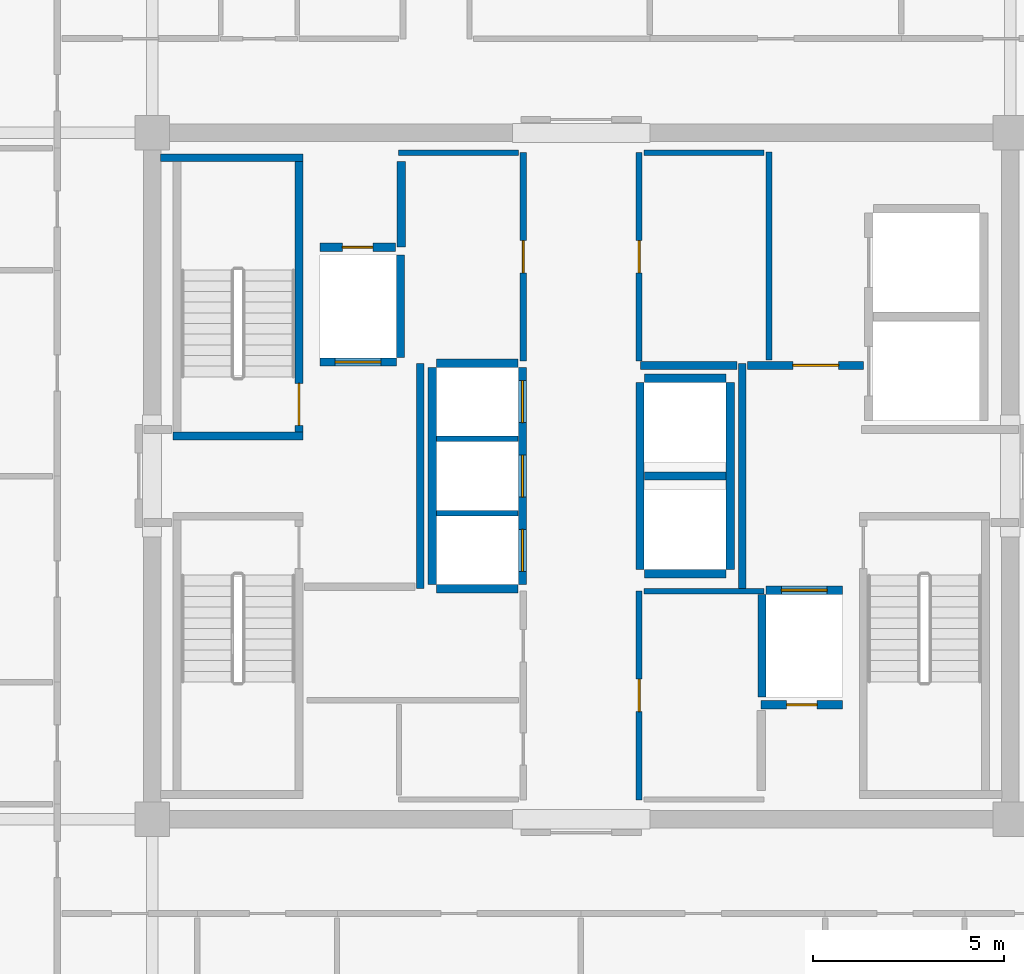
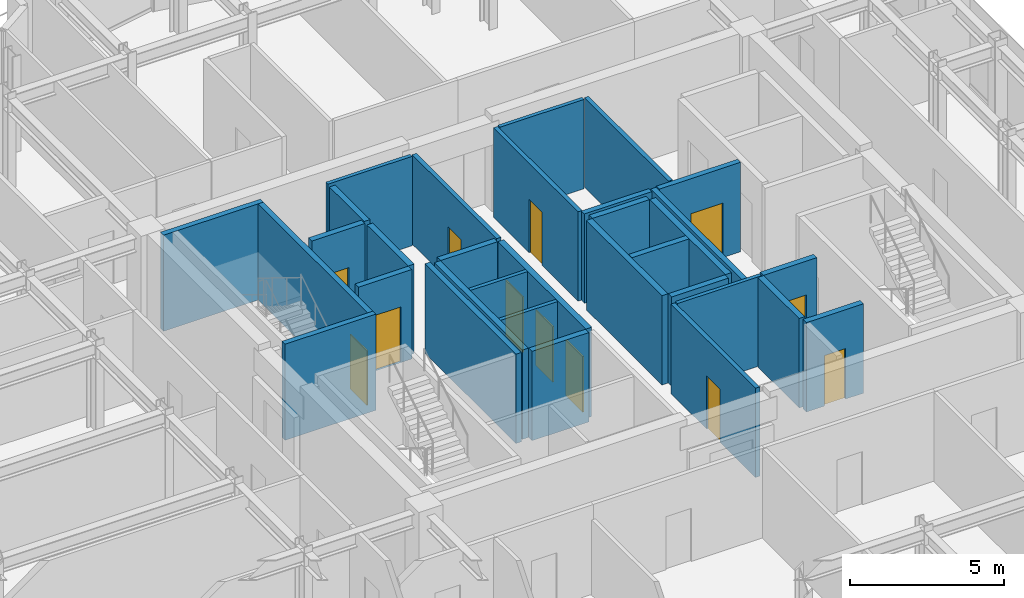
# One storey, part 14 of 18: 32 walls, 12 doors, 12 openings.
"""IFC4 building model written with IfcOpenShell, lengths in metres."""

from ifc_helpers import new_model, si_unit, direction, frame, frame_2d, origin, place, context, subcontext, project, spatial, rectangle, extrude, source, transform, mapped, material, layer, layer_set, type_object, element, fill, save


model = new_model("IFC4")

# Units and contexts
model_context = context("Model", 3, precision=1e-05, world=origin(), true_north=direction((0.0, 1.0)))
body_context = subcontext(model_context, "Body", "Model", "MODEL_VIEW")
ifc_project = project(units=[si_unit("LENGTHUNIT", "METRE"), si_unit("AREAUNIT", "SQUARE_METRE"), si_unit("VOLUMEUNIT", "CUBIC_METRE"), si_unit("PLANEANGLEUNIT", "RADIAN"), si_unit("MASSUNIT", "GRAM", prefix="KILO")], contexts=[model_context])

# Site, building, storey
site_placement = place(None, origin())
site = spatial("IfcSite", under=ifc_project, at=site_placement, CompositionType="ELEMENT")
building_placement = place(site_placement, origin())
building = spatial("IfcBuilding", under=site, at=building_placement, Name="Nefas-Gora Pilgrimage Tower", CompositionType="ELEMENT")
storey_placement = place(building_placement, frame((0.0, 0.0, 306.39990234375)))
storey = spatial("IfcBuildingStorey", under=building, at=storey_placement, Name="L77", CompositionType="ELEMENT", Elevation=306.39990234375)

# Wall
ifc_material_1 = material(Name="Concrete C45/55", Category="concrete")
ifc_layer_1 = layer(ifc_material_1, 0.199951171875)
ifc_layer_set_1 = layer_set([ifc_layer_1], Name="Concrete C45/55")
wall_type_1 = type_object("IfcWallType", Name="IW-STAIR-200", PredefinedType="SOLIDWALL", material=ifc_layer_set_1)
shared_shape_1 = source(origin(), body_context, "Body", "SweptSolid", [
    extrude(rectangle(XDim=3.39990234375, YDim=0.199951171875, at=frame_2d((1.699951171875, 0.0))), origin(), (0.0, 0.0, 1.0), 3.800048828125),
])
wall_1_placement = place(storey_placement, frame((-7.300048828125, 1.050048828125, 0.0), z_axis=(0.0, 0.0, 1.0), x_axis=(-1.0, 0.0, 0.0)))
element("IfcWall", 1, at=wall_1_placement, inside=storey, type_object=wall_type_1, Name="L77 Stairwell Shear Wall ST-01-near", PredefinedType="SOLIDWALL", context=body_context, shape_type="MappedRepresentation", body=[
    mapped(shared_shape_1, transform((0.0, 0.0, 0.0), x_axis=(1.0, 0.0, 0.0), y_axis=(0.0, 1.0, 0.0), z_axis=(0.0, 0.0, 1.0), scale=1.0)),
])

# Wall, opening, door
shared_shape_2 = source(origin(), body_context, "Body", "SweptSolid", [
    extrude(rectangle(XDim=7.10009765625, YDim=0.199951171875, at=frame_2d((3.550048828125, 0.0))), origin(), (0.0, 0.0, 1.0), 3.800048828125),
])
wall_2_placement = place(storey_placement, frame((-7.39990234375, 1.14990234375, 0.0), z_axis=(0.0, 0.0, 1.0), x_axis=(0.0, 1.0, 0.0)))
wall_2 = element("IfcWall", 2, at=wall_2_placement, inside=storey, type_object=wall_type_1, Name="L77 Stairwell Shear Wall ST-01-left", PredefinedType="SOLIDWALL", context=body_context, shape_type="MappedRepresentation", body=[
    mapped(shared_shape_2, transform((0.0, 0.0, 0.0), x_axis=(1.0, 0.0, 0.0), y_axis=(0.0, 1.0, 0.0), z_axis=(0.0, 0.0, 1.0), scale=1.0)),
])
opening_1_placement = place(wall_2_placement, frame((0.179931640625, 0.0, 0.0)))
opening_1 = element("IfcOpeningElement", 3, at=opening_1_placement, cuts=wall_2, Name="Opening ID-ST1", PredefinedType="OPENING", context=body_context, shape_type="SweptSolid", body=[
    extrude(rectangle(XDim=1.10009765625, YDim=2.14990234375, at=frame_2d((0.550048828125, 1.074951171875))), frame((0.0, 0.10986328125, 0.0), z_axis=(0.0, -1.0, 0.0), x_axis=(1.0, 0.0, 0.0)), (0.0, 0.0, 1.0), 0.219970703125),
])
ifc_material_2 = material(Name="Painted galvanised steel fire stair door", Category="steel")
door_type_1 = type_object("IfcDoorType", Name="DR-INT-STAIR-1100", OperationType="NOTDEFINED", PredefinedType="DOOR", material=ifc_material_2)
shared_shape_3 = source(origin(), body_context, "Body", "SweptSolid", [
    extrude(rectangle(XDim=1.10009765625, YDim=2.14990234375, at=frame_2d((0.550048828125, 1.074951171875))), frame((0.0, 0.02490234375, 0.0), z_axis=(0.0, -1.0, 0.0), x_axis=(1.0, 0.0, 0.0)), (0.0, 0.0, 1.0), 0.050048828125),
])
door_1_placement = place(opening_1_placement, origin())
door_1 = element("IfcDoor", 4, at=door_1_placement, inside=storey, type_object=door_type_1, Name="L77 Protected Exit Stair Door ST-01", OperationType="SINGLE_SWING_LEFT", OverallHeight=2.14990234375, OverallWidth=1.10009765625, PredefinedType="DOOR", context=body_context, shape_type="MappedRepresentation", body=[
    mapped(shared_shape_3, transform((0.0, 0.0, 0.0), x_axis=(1.0, 0.0, 0.0), y_axis=(0.0, 1.0, 0.0), z_axis=(0.0, 0.0, 1.0), scale=1.0)),
])
fill(opening_1, door_1)

# Wall
shared_shape_4 = source(origin(), body_context, "Body", "SweptSolid", [
    extrude(rectangle(XDim=3.72998046875, YDim=0.199951171875, at=frame_2d((1.864990234375, 0.0))), origin(), (0.0, 0.0, 1.0), 3.800048828125),
])
wall_3_placement = place(storey_placement, frame((-7.300048828125, 8.35009765625, 0.0), z_axis=(0.0, 0.0, 1.0), x_axis=(-1.0, 0.0, 0.0)))
element("IfcWall", 5, at=wall_3_placement, inside=storey, type_object=wall_type_1, Name="L77 Stairwell Shear Wall ST-01-far", PredefinedType="SOLIDWALL", context=body_context, shape_type="MappedRepresentation", body=[
    mapped(shared_shape_4, transform((0.0, 0.0, 0.0), x_axis=(1.0, 0.0, 0.0), y_axis=(0.0, 1.0, 0.0), z_axis=(0.0, 0.0, 1.0), scale=1.0)),
])

# Wall, opening, door
ifc_material_3 = material(Name="Concrete C40/50", Category="concrete")
ifc_layer_2 = layer(ifc_material_3, 0.219970703125)
ifc_layer_set_2 = layer_set([ifc_layer_2], Name="Concrete C40/50")
wall_type_2 = type_object("IfcWallType", Name="IW-SHAFT-220", PredefinedType="SOLIDWALL", material=ifc_layer_set_2)
shared_shape_5 = source(origin(), body_context, "Body", "SweptSolid", [
    extrude(rectangle(XDim=2.0, YDim=0.219970703125, at=frame_2d((1.0, 0.0))), origin(), (0.0, 0.0, 1.0), 3.53515625),
])
wall_4_placement = place(storey_placement, frame((-6.85009765625, 2.989990234375, 0.0), z_axis=(0.0, 0.0, 1.0), x_axis=(1.0, 0.0, 0.0)))
wall_4 = element("IfcWall", 6, at=wall_4_placement, inside=storey, type_object=wall_type_2, Name="L77 Hoistway Wall FFL-01-S", PredefinedType="SOLIDWALL", context=body_context, shape_type="MappedRepresentation", body=[
    mapped(shared_shape_5, transform((0.0, 0.0, 0.0), x_axis=(1.0, 0.0, 0.0), y_axis=(0.0, 1.0, 0.0), z_axis=(0.0, 0.0, 1.0), scale=1.0)),
])
opening_2_placement = place(wall_4_placement, frame((0.39990234375, 0.0, 0.0)))
opening_2 = element("IfcOpeningElement", 7, at=opening_2_placement, cuts=wall_4, Name="Opening LD-FF", PredefinedType="OPENING", context=body_context, shape_type="SweptSolid", body=[
    extrude(rectangle(XDim=1.199951171875, YDim=2.199951171875, at=frame_2d((0.60009765625, 1.10009765625))), frame((0.0, 0.119873046875, 0.0), z_axis=(0.0, -1.0, 0.0), x_axis=(1.0, 0.0, 0.0)), (0.0, 0.0, 1.0), 0.239990234375),
])
ifc_material_4 = material(Name="Fire-service sliding lift landing door")
door_type_2 = type_object("IfcDoorType", Name="DR-LIFT-FSAE-1200", OperationType="SLIDING_TO_LEFT", PredefinedType="DOOR", material=ifc_material_4)
shared_shape_6 = source(origin(), body_context, "Body", "SweptSolid", [
    extrude(rectangle(XDim=1.199951171875, YDim=2.199951171875, at=frame_2d((0.60009765625, 1.10009765625))), frame((0.0, 0.02490234375, 0.0), z_axis=(0.0, -1.0, 0.0), x_axis=(1.0, 0.0, 0.0)), (0.0, 0.0, 1.0), 0.050048828125),
])
door_2_placement = place(opening_2_placement, origin())
door_2 = element("IfcDoor", 8, at=door_2_placement, inside=storey, type_object=door_type_2, Name="L77 Sliding Lift Landing Door FFL-01", OperationType="SLIDING_TO_LEFT", OverallHeight=2.199951171875, OverallWidth=1.199951171875, PredefinedType="DOOR", context=body_context, shape_type="MappedRepresentation", body=[
    mapped(shared_shape_6, transform((0.0, 0.0, 0.0), x_axis=(1.0, 0.0, 0.0), y_axis=(0.0, 1.0, 0.0), z_axis=(0.0, 0.0, 1.0), scale=1.0)),
])
fill(opening_2, door_2)

wall_5_placement = place(storey_placement, frame((6.85009765625, -2.989990234375, 0.0), z_axis=(0.0, 0.0, 1.0), x_axis=(-1.0, 0.0, 0.0)))
wall_5 = element("IfcWall", 9, at=wall_5_placement, inside=storey, type_object=wall_type_2, Name="L77 Hoistway Wall FFL-02-N", PredefinedType="SOLIDWALL", context=body_context, shape_type="MappedRepresentation", body=[
    mapped(shared_shape_5, transform((0.0, 0.0, 0.0), x_axis=(1.0, 0.0, 0.0), y_axis=(0.0, 1.0, 0.0), z_axis=(0.0, 0.0, 1.0), scale=1.0)),
])
opening_3_placement = place(wall_5_placement, frame((0.39990234375, 0.0, 0.0)))
opening_3 = element("IfcOpeningElement", 10, at=opening_3_placement, cuts=wall_5, Name="Opening LD-FF", PredefinedType="OPENING", context=body_context, shape_type="SweptSolid", body=[
    extrude(rectangle(XDim=1.199951171875, YDim=2.199951171875, at=frame_2d((0.60009765625, 1.10009765625))), frame((0.0, 0.119873046875, 0.0), z_axis=(0.0, -1.0, 0.0), x_axis=(1.0, 0.0, 0.0)), (0.0, 0.0, 1.0), 0.239990234375),
])
door_3_placement = place(opening_3_placement, origin())
door_3 = element("IfcDoor", 11, at=door_3_placement, inside=storey, type_object=door_type_2, Name="L77 Sliding Lift Landing Door FFL-02", OperationType="SLIDING_TO_LEFT", OverallHeight=2.199951171875, OverallWidth=1.199951171875, PredefinedType="DOOR", context=body_context, shape_type="MappedRepresentation", body=[
    mapped(shared_shape_6, transform((0.0, 0.0, 0.0), x_axis=(1.0, 0.0, 0.0), y_axis=(0.0, 1.0, 0.0), z_axis=(0.0, 0.0, 1.0), scale=1.0)),
])
fill(opening_3, door_3)

# Walls
shared_shape_7 = source(origin(), body_context, "Body", "SweptSolid", [
    extrude(rectangle(XDim=2.679931640625, YDim=0.219970703125, at=frame_2d((1.33984375, 0.0))), origin(), (0.0, 0.0, 1.0), 3.53515625),
])
for number, where, z_axis, x_axis, name in (
    (12, (-4.739990234375, 3.110107421875, 0.0), (0.0, 0.0, 1.0), (0.0, 1.0, 0.0), "L77 Hoistway Wall FFL-01-E"),
    (13, (4.739990234375, -3.110107421875, 0.0), (0.0, 0.0, 1.0), (0.0, -1.0, 0.0), "L77 Hoistway Wall FFL-02-W"),
):
    element("IfcWall", number, at=place(storey_placement, frame(where, z_axis=z_axis, x_axis=x_axis)), inside=storey, type_object=wall_type_2, Name=name, PredefinedType="SOLIDWALL", context=body_context, shape_type="MappedRepresentation", body=[
        mapped(shared_shape_7, transform((0.0, 0.0, 0.0), x_axis=(1.0, 0.0, 0.0), y_axis=(0.0, 1.0, 0.0), z_axis=(0.0, 0.0, 1.0), scale=1.0)),
    ])

# Wall, openings, doors
shared_shape_8 = source(origin(), body_context, "Body", "SweptSolid", [
    extrude(rectangle(XDim=5.7001953125, YDim=0.219970703125, at=frame_2d((2.85009765625, 0.0))), origin(), (0.0, 0.0, 1.0), 3.53515625),
])
wall_6_placement = place(storey_placement, frame((-1.5400390625, -2.85009765625, 0.0), z_axis=(0.0, 0.0, 1.0), x_axis=(0.0, 1.0, 0.0)))
wall_6 = element("IfcWall", 14, at=wall_6_placement, inside=storey, type_object=wall_type_2, Name="L77 Hoistway Wall PL3-01-03-E", PredefinedType="SOLIDWALL", context=body_context, shape_type="MappedRepresentation", body=[
    mapped(shared_shape_8, transform((0.0, 0.0, 0.0), x_axis=(1.0, 0.0, 0.0), y_axis=(0.0, 1.0, 0.0), z_axis=(0.0, 0.0, 1.0), scale=1.0)),
])
opening_4_placement = place(wall_6_placement, frame((0.35009765625, 0.0, 0.0)))
opening_4 = element("IfcOpeningElement", 15, at=opening_4_placement, cuts=wall_6, Name="Opening LD-01", PredefinedType="OPENING", context=body_context, shape_type="SweptSolid", body=[
    extrude(rectangle(XDim=1.10009765625, YDim=2.199951171875, at=frame_2d((0.550048828125, 1.10009765625))), frame((0.0, 0.119873046875, 0.0), z_axis=(0.0, -1.0, 0.0), x_axis=(1.0, 0.0, 0.0)), (0.0, 0.0, 1.0), 0.239990234375),
])
opening_5_placement = place(wall_6_placement, frame((2.300048828125, 0.0, 0.0)))
opening_5 = element("IfcOpeningElement", 16, at=opening_5_placement, cuts=wall_6, Name="Opening LD-01", PredefinedType="OPENING", context=body_context, shape_type="SweptSolid", body=[
    extrude(rectangle(XDim=1.10009765625, YDim=2.199951171875, at=frame_2d((0.550048828125, 1.10009765625))), frame((0.0, 0.119873046875, 0.0), z_axis=(0.0, -1.0, 0.0), x_axis=(1.0, 0.0, 0.0)), (0.0, 0.0, 1.0), 0.239990234375),
])
opening_6_placement = place(wall_6_placement, frame((4.25, 0.0, 0.0)))
opening_6 = element("IfcOpeningElement", 17, at=opening_6_placement, cuts=wall_6, Name="Opening LD-01", PredefinedType="OPENING", context=body_context, shape_type="SweptSolid", body=[
    extrude(rectangle(XDim=1.10009765625, YDim=2.199951171875, at=frame_2d((0.550048828125, 1.10009765625))), frame((0.0, 0.119873046875, 0.0), z_axis=(0.0, -1.0, 0.0), x_axis=(1.0, 0.0, 0.0)), (0.0, 0.0, 1.0), 0.239990234375),
])
ifc_material_5 = material(Name="Brushed stainless sliding lift landing door")
door_type_3 = type_object("IfcDoorType", Name="DR-LIFT-PASS-1100", OperationType="DOUBLE_DOOR_SLIDING", PredefinedType="DOOR", material=ifc_material_5)
shared_shape_9 = source(origin(), body_context, "Body", "SweptSolid", [
    extrude(rectangle(XDim=1.10009765625, YDim=2.199951171875, at=frame_2d((0.550048828125, 1.10009765625))), frame((0.0, 0.02490234375, 0.0), z_axis=(0.0, -1.0, 0.0), x_axis=(1.0, 0.0, 0.0)), (0.0, 0.0, 1.0), 0.050048828125),
])
door_4_placement = place(opening_4_placement, origin())
door_4 = element("IfcDoor", 18, at=door_4_placement, inside=storey, type_object=door_type_3, Name="L77 Sliding Lift Landing Door PL3-01", OperationType="DOUBLE_DOOR_SLIDING", OverallHeight=2.199951171875, OverallWidth=1.10009765625, PredefinedType="DOOR", context=body_context, shape_type="MappedRepresentation", body=[
    mapped(shared_shape_9, transform((0.0, 0.0, 0.0), x_axis=(1.0, 0.0, 0.0), y_axis=(0.0, 1.0, 0.0), z_axis=(0.0, 0.0, 1.0), scale=1.0)),
])
fill(opening_4, door_4)
door_5_placement = place(opening_5_placement, origin())
door_5 = element("IfcDoor", 19, at=door_5_placement, inside=storey, type_object=door_type_3, Name="L77 Sliding Lift Landing Door PL3-02", OperationType="DOUBLE_DOOR_SLIDING", OverallHeight=2.199951171875, OverallWidth=1.10009765625, PredefinedType="DOOR", context=body_context, shape_type="MappedRepresentation", body=[
    mapped(shared_shape_9, transform((0.0, 0.0, 0.0), x_axis=(1.0, 0.0, 0.0), y_axis=(0.0, 1.0, 0.0), z_axis=(0.0, 0.0, 1.0), scale=1.0)),
])
fill(opening_5, door_5)
door_6_placement = place(opening_6_placement, origin())
door_6 = element("IfcDoor", 20, at=door_6_placement, inside=storey, type_object=door_type_3, Name="L77 Sliding Lift Landing Door PL3-03", OperationType="DOUBLE_DOOR_SLIDING", OverallHeight=2.199951171875, OverallWidth=1.10009765625, PredefinedType="DOOR", context=body_context, shape_type="MappedRepresentation", body=[
    mapped(shared_shape_9, transform((0.0, 0.0, 0.0), x_axis=(1.0, 0.0, 0.0), y_axis=(0.0, 1.0, 0.0), z_axis=(0.0, 0.0, 1.0), scale=1.0)),
])
fill(opening_6, door_6)

# Walls
wall_7_placement = place(storey_placement, frame((-3.909912109375, 2.85009765625, 0.0), z_axis=(0.0, 0.0, 1.0), x_axis=(0.0, -1.0, 0.0)))
element("IfcWall", 21, at=wall_7_placement, inside=storey, type_object=wall_type_2, Name="L77 Hoistway Wall PL3-01-03-W", PredefinedType="SOLIDWALL", context=body_context, shape_type="MappedRepresentation", body=[
    mapped(shared_shape_8, transform((0.0, 0.0, 0.0), x_axis=(1.0, 0.0, 0.0), y_axis=(0.0, 1.0, 0.0), z_axis=(0.0, 0.0, 1.0), scale=1.0)),
])
shared_shape_10 = source(origin(), body_context, "Body", "SweptSolid", [
    extrude(rectangle(XDim=2.130126953125, YDim=0.219970703125, at=frame_2d((1.06494140625, 0.0))), origin(), (0.0, 0.0, 1.0), 3.53515625),
])
for number, where, z_axis, x_axis, name in (
    (22, (-3.7900390625, -2.9599609375, 0.0), (0.0, 0.0, 1.0), (1.0, 0.0, 0.0), "L77 Hoistway Wall PL3-01-S"),
    (23, (-1.659912109375, 2.9599609375, 0.0), (0.0, 0.0, 1.0), (-1.0, 0.0, 0.0), "L77 Hoistway Wall PL3-03-N"),
    (24, (1.659912109375, -2.56005859375, 0.0), (0.0, 0.0, 1.0), (1.0, 0.0, 0.0), "L77 Hoistway Wall OBS-01-S"),
    (25, (1.659912109375, 0.0, 0.0), (0.0, 0.0, 1.0), (1.0, 0.0, 0.0), "L77 Hoistway Wall OBS-01-02-DIV"),
    (26, (3.7900390625, 2.56005859375, 0.0), (0.0, 0.0, 1.0), (-1.0, 0.0, 0.0), "L77 Hoistway Wall OBS-02-N"),
):
    element("IfcWall", number, at=place(storey_placement, frame(where, z_axis=z_axis, x_axis=x_axis)), inside=storey, type_object=wall_type_2, Name=name, PredefinedType="SOLIDWALL", context=body_context, shape_type="MappedRepresentation", body=[
        mapped(shared_shape_10, transform((0.0, 0.0, 0.0), x_axis=(1.0, 0.0, 0.0), y_axis=(0.0, 1.0, 0.0), z_axis=(0.0, 0.0, 1.0), scale=1.0)),
    ])

# Wall, opening, door
wall_8_placement = place(storey_placement, frame((4.719970703125, -6.0, 0.0), z_axis=(0.0, 0.0, 1.0), x_axis=(1.0, 0.0, 0.0)))
wall_8 = element("IfcWall", 27, at=wall_8_placement, inside=storey, type_object=wall_type_2, Name="L77 Riser Shaft Wall 3", PredefinedType="SOLIDWALL", context=body_context, shape_type="MappedRepresentation", body=[
    mapped(shared_shape_10, transform((0.0, 0.0, 0.0), x_axis=(1.0, 0.0, 0.0), y_axis=(0.0, 1.0, 0.0), z_axis=(0.0, 0.0, 1.0), scale=1.0)),
])
opening_7_placement = place(wall_8_placement, frame((0.6650390625, 0.0, 0.0)))
opening_7 = element("IfcOpeningElement", 28, at=opening_7_placement, cuts=wall_8, Name="Opening ID-TR1", PredefinedType="OPENING", context=body_context, shape_type="SweptSolid", body=[
    extrude(rectangle(XDim=0.800048828125, YDim=2.0, at=frame_2d((0.39990234375, 1.0))), frame((0.0, 0.119873046875, 0.0), z_axis=(0.0, -1.0, 0.0), x_axis=(1.0, 0.0, 0.0)), (0.0, 0.0, 1.0), 0.239990234375),
])
ifc_material_6 = material(Name="Riser maintenance fire access door")
door_type_4 = type_object("IfcDoorType", Name="DR-INT-TRAP-800", OperationType="NOTDEFINED", PredefinedType="TRAPDOOR", material=ifc_material_6)
shared_shape_11 = source(origin(), body_context, "Body", "SweptSolid", [
    extrude(rectangle(XDim=0.800048828125, YDim=2.0, at=frame_2d((0.39990234375, 1.0))), frame((0.0, 0.02490234375, 0.0), z_axis=(0.0, -1.0, 0.0), x_axis=(1.0, 0.0, 0.0)), (0.0, 0.0, 1.0), 0.050048828125),
])
door_7_placement = place(opening_7_placement, origin())
door_7 = element("IfcDoor", 29, at=door_7_placement, inside=storey, type_object=door_type_4, Name="L77 Riser Shaft Door 2", OperationType="SINGLE_SWING_RIGHT", OverallHeight=2.0, OverallWidth=0.800048828125, PredefinedType="TRAPDOOR", context=body_context, shape_type="MappedRepresentation", body=[
    mapped(shared_shape_11, transform((0.0, 0.0, 0.0), x_axis=(1.0, 0.0, 0.0), y_axis=(0.0, 1.0, 0.0), z_axis=(0.0, 0.0, 1.0), scale=1.0)),
])
fill(opening_7, door_7)

# Walls
ifc_material_7 = material(Name="Gypsum twin-stud partition")
ifc_layer_3 = layer(ifc_material_7, 0.139892578125)
ifc_layer_set_3 = layer_set([ifc_layer_3], Name="Gypsum twin-stud partition")
wall_type_3 = type_object("IfcWallType", Name="IW-UNIT-140", PredefinedType="PARTITIONING", material=ifc_layer_set_3)
shared_shape_12 = source(origin(), body_context, "Body", "SweptSolid", [
    extrude(rectangle(XDim=2.130126953125, YDim=0.139892578125, at=frame_2d((1.06494140625, 0.0))), origin(), (0.0, 0.0, 1.0), 3.53515625),
])
for number, where, z_axis, x_axis, name in (
    (30, (-3.7900390625, -0.97509765625, 0.0), (0.0, 0.0, 1.0), (1.0, 0.0, 0.0), "L77 Hoistway Wall PL3-01-02-DIV"),
    (31, (-3.7900390625, 0.97509765625, 0.0), (0.0, 0.0, 1.0), (1.0, 0.0, 0.0), "L77 Hoistway Wall PL3-02-03-DIV"),
):
    element("IfcWall", number, at=place(storey_placement, frame(where, z_axis=z_axis, x_axis=x_axis)), inside=storey, type_object=wall_type_3, Name=name, PredefinedType="PARTITIONING", context=body_context, shape_type="MappedRepresentation", body=[
        mapped(shared_shape_12, transform((0.0, 0.0, 0.0), x_axis=(1.0, 0.0, 0.0), y_axis=(0.0, 1.0, 0.0), z_axis=(0.0, 0.0, 1.0), scale=1.0)),
    ])
shared_shape_13 = source(origin(), body_context, "Body", "SweptSolid", [
    extrude(rectangle(XDim=4.89990234375, YDim=0.219970703125, at=frame_2d((2.449951171875, 0.0))), origin(), (0.0, 0.0, 1.0), 3.53515625),
])
for number, where, z_axis, x_axis, name in (
    (32, (1.5400390625, 2.449951171875, 0.0), (0.0, 0.0, 1.0), (0.0, -1.0, 0.0), "L77 Hoistway Wall OBS-01-02-W"),
    (33, (3.909912109375, -2.449951171875, 0.0), (0.0, 0.0, 1.0), (0.0, 1.0, 0.0), "L77 Hoistway Wall OBS-01-02-E"),
):
    element("IfcWall", number, at=place(storey_placement, frame(where, z_axis=z_axis, x_axis=x_axis)), inside=storey, type_object=wall_type_2, Name=name, PredefinedType="SOLIDWALL", context=body_context, shape_type="MappedRepresentation", body=[
        mapped(shared_shape_13, transform((0.0, 0.0, 0.0), x_axis=(1.0, 0.0, 0.0), y_axis=(0.0, 1.0, 0.0), z_axis=(0.0, 0.0, 1.0), scale=1.0)),
    ])
ifc_material_8 = material(Name="Gypsum fire-rated shaftwall")
ifc_layer_4 = layer(ifc_material_8, 0.199951171875)
ifc_layer_set_4 = layer_set([ifc_layer_4], Name="Gypsum fire-rated shaftwall")
wall_type_4 = type_object("IfcWallType", Name="IW-FFLOB-200", PredefinedType="PARTITIONING", material=ifc_layer_set_4)
shared_shape_14 = source(origin(), body_context, "Body", "SweptSolid", [
    extrude(rectangle(XDim=5.89990234375, YDim=0.199951171875, at=frame_2d((2.949951171875, 0.0))), origin(), (0.0, 0.0, 1.0), 3.53515625),
])
for number, where, z_axis, x_axis, name in (
    (34, (-4.219970703125, -2.949951171875, 0.0), (0.0, 0.0, 1.0), (0.0, 1.0, 0.0), "L77 FF Lobby West Inner Wall Wall 6"),
    (35, (4.219970703125, -2.949951171875, 0.0), (0.0, 0.0, 1.0), (0.0, 1.0, 0.0), "L77 FF Lobby East Inner Wall Wall 11"),
):
    element("IfcWall", number, at=place(storey_placement, frame(where, z_axis=z_axis, x_axis=x_axis)), inside=storey, type_object=wall_type_4, Name=name, PredefinedType="PARTITIONING", context=body_context, shape_type="MappedRepresentation", body=[
        mapped(shared_shape_14, transform((0.0, 0.0, 0.0), x_axis=(1.0, 0.0, 0.0), y_axis=(0.0, 1.0, 0.0), z_axis=(0.0, 0.0, 1.0), scale=1.0)),
    ])

# Wall, opening, door
shared_shape_15 = source(origin(), body_context, "Body", "SweptSolid", [
    extrude(rectangle(XDim=3.039794921875, YDim=0.199951171875, at=frame_2d((1.52001953125, 0.0))), origin(), (0.0, 0.0, 1.0), 3.53515625),
])
wall_9_placement = place(storey_placement, frame((4.360107421875, 2.89990234375, 0.0), z_axis=(0.0, 0.0, 1.0), x_axis=(1.0, 0.0, 0.0)))
wall_9 = element("IfcWall", 36, at=wall_9_placement, inside=storey, type_object=wall_type_4, Name="L77 FF Lobby East North Wall Wall 13", PredefinedType="PARTITIONING", context=body_context, shape_type="MappedRepresentation", body=[
    mapped(shared_shape_15, transform((0.0, 0.0, 0.0), x_axis=(1.0, 0.0, 0.0), y_axis=(0.0, 1.0, 0.0), z_axis=(0.0, 0.0, 1.0), scale=1.0)),
])
opening_8_placement = place(wall_9_placement, frame((1.18994140625, 0.0, 0.0)))
opening_8 = element("IfcOpeningElement", 37, at=opening_8_placement, cuts=wall_9, Name="Opening ID-PL1", PredefinedType="OPENING", context=body_context, shape_type="SweptSolid", body=[
    extrude(rectangle(XDim=1.199951171875, YDim=2.14990234375, at=frame_2d((0.60009765625, 1.074951171875))), frame((0.0, 0.10986328125, 0.0), z_axis=(0.0, -1.0, 0.0), x_axis=(1.0, 0.0, 0.0)), (0.0, 0.0, 1.0), 0.219970703125),
])
ifc_material_9 = material(Name="Heavy-duty steel plant room fire door", Category="steel")
door_type_5 = type_object("IfcDoorType", Name="DR-INT-PLANT-1200", OperationType="NOTDEFINED", PredefinedType="DOOR", material=ifc_material_9)
shared_shape_16 = source(origin(), body_context, "Body", "SweptSolid", [
    extrude(rectangle(XDim=1.199951171875, YDim=2.14990234375, at=frame_2d((0.60009765625, 1.074951171875))), frame((0.0, 0.02490234375, 0.0), z_axis=(0.0, -1.0, 0.0), x_axis=(1.0, 0.0, 0.0)), (0.0, 0.0, 1.0), 0.050048828125),
])
door_8_placement = place(opening_8_placement, origin())
door_8 = element("IfcDoor", 38, at=door_8_placement, inside=storey, type_object=door_type_5, Name="L77 Service Lift Lobby Door Door 5", OperationType="SINGLE_SWING_LEFT", OverallHeight=2.14990234375, OverallWidth=1.199951171875, PredefinedType="DOOR", context=body_context, shape_type="MappedRepresentation", body=[
    mapped(shared_shape_16, transform((0.0, 0.0, 0.0), x_axis=(1.0, 0.0, 0.0), y_axis=(0.0, 1.0, 0.0), z_axis=(0.0, 0.0, 1.0), scale=1.0)),
])
fill(opening_8, door_8)

# Walls
shared_shape_17 = source(origin(), body_context, "Body", "SweptSolid", [
    extrude(rectangle(XDim=3.150146484375, YDim=0.139892578125, at=frame_2d((1.5751953125, 0.0))), origin(), (0.0, 0.0, 1.0), 3.53515625),
])
for number, where, z_axis, x_axis, name in (
    (39, (-4.7900390625, 8.47998046875, 0.0), (0.0, 0.0, 1.0), (1.0, 0.0, 0.0), "L77 Housekeeping and Linen Store Partition Wall 24"),
    (40, (1.639892578125, 8.47998046875, 0.0), (0.0, 0.0, 1.0), (1.0, 0.0, 0.0), "L77 Freed Bank-1 Amenity Supply Store Partition Wall 28"),
    (41, (1.639892578125, -3.02001953125, 0.0), (0.0, 0.0, 1.0), (1.0, 0.0, 0.0), "L77 Freed Bank-2 East Linen Store Partition Wall 32"),
):
    element("IfcWall", number, at=place(storey_placement, frame(where, z_axis=z_axis, x_axis=x_axis)), inside=storey, type_object=wall_type_3, Name=name, PredefinedType="PARTITIONING", context=body_context, shape_type="MappedRepresentation", body=[
        mapped(shared_shape_17, transform((0.0, 0.0, 0.0), x_axis=(1.0, 0.0, 0.0), y_axis=(0.0, 1.0, 0.0), z_axis=(0.0, 0.0, 1.0), scale=1.0)),
    ])
shared_shape_18 = source(origin(), body_context, "Body", "SweptSolid", [
    extrude(rectangle(XDim=2.25, YDim=0.219970703125, at=frame_2d((1.125, 0.0))), origin(), (0.0, 0.0, 1.0), 3.53515625),
])
wall_10_placement = place(storey_placement, frame((-4.719970703125, 6.0, 0.0), z_axis=(0.0, 0.0, 1.0), x_axis=(0.0, 1.0, 0.0)))
element("IfcWall", 42, at=wall_10_placement, inside=storey, type_object=wall_type_2, Name="L77 Riser Shaft Wall 1", PredefinedType="SOLIDWALL", context=body_context, shape_type="MappedRepresentation", body=[
    mapped(shared_shape_18, transform((0.0, 0.0, 0.0), x_axis=(1.0, 0.0, 0.0), y_axis=(0.0, 1.0, 0.0), z_axis=(0.0, 0.0, 1.0), scale=1.0)),
])

# Wall, opening, door
shared_shape_19 = source(origin(), body_context, "Body", "SweptSolid", [
    extrude(rectangle(XDim=1.97998046875, YDim=0.219970703125, at=frame_2d((0.989990234375, 0.0))), origin(), (0.0, 0.0, 1.0), 3.53515625),
])
wall_11_placement = place(storey_placement, frame((-6.85009765625, 6.0, 0.0), z_axis=(0.0, 0.0, 1.0), x_axis=(1.0, 0.0, 0.0)))
wall_11 = element("IfcWall", 43, at=wall_11_placement, inside=storey, type_object=wall_type_2, Name="L77 Riser Shaft Wall 2", PredefinedType="SOLIDWALL", context=body_context, shape_type="MappedRepresentation", body=[
    mapped(shared_shape_19, transform((0.0, 0.0, 0.0), x_axis=(1.0, 0.0, 0.0), y_axis=(0.0, 1.0, 0.0), z_axis=(0.0, 0.0, 1.0), scale=1.0)),
])
opening_9_placement = place(wall_11_placement, frame((0.590087890625, 0.0, 0.0)))
opening_9 = element("IfcOpeningElement", 44, at=opening_9_placement, cuts=wall_11, Name="Opening ID-TR1", PredefinedType="OPENING", context=body_context, shape_type="SweptSolid", body=[
    extrude(rectangle(XDim=0.800048828125, YDim=2.0, at=frame_2d((0.39990234375, 1.0))), frame((0.0, 0.119873046875, 0.0), z_axis=(0.0, -1.0, 0.0), x_axis=(1.0, 0.0, 0.0)), (0.0, 0.0, 1.0), 0.239990234375),
])
door_9_placement = place(opening_9_placement, origin())
door_9 = element("IfcDoor", 45, at=door_9_placement, inside=storey, type_object=door_type_4, Name="L77 Riser Shaft Door 1", OperationType="SINGLE_SWING_LEFT", OverallHeight=2.0, OverallWidth=0.800048828125, PredefinedType="TRAPDOOR", context=body_context, shape_type="MappedRepresentation", body=[
    mapped(shared_shape_11, transform((0.0, 0.0, 0.0), x_axis=(1.0, 0.0, 0.0), y_axis=(0.0, 1.0, 0.0), z_axis=(0.0, 0.0, 1.0), scale=1.0)),
])
fill(opening_9, door_9)

# Walls
shared_shape_20 = source(origin(), body_context, "Body", "SweptSolid", [
    extrude(rectangle(XDim=2.52001953125, YDim=0.199951171875, at=frame_2d((1.260009765625, 0.0))), origin(), (0.0, 0.0, 1.0), 3.53515625),
])
wall_12_placement = place(storey_placement, frame((1.56005859375, 2.89990234375, 0.0), z_axis=(0.0, 0.0, 1.0), x_axis=(1.0, 0.0, 0.0)))
element("IfcWall", 46, at=wall_12_placement, inside=storey, type_object=wall_type_4, Name="L77 FF Lobby East North Wall Wall 12", PredefinedType="PARTITIONING", context=body_context, shape_type="MappedRepresentation", body=[
    mapped(shared_shape_20, transform((0.0, 0.0, 0.0), x_axis=(1.0, 0.0, 0.0), y_axis=(0.0, 1.0, 0.0), z_axis=(0.0, 0.0, 1.0), scale=1.0)),
])
ifc_material_10 = material(Name="Gypsum acoustic stud partition")
ifc_layer_5 = layer(ifc_material_10, 0.159912109375)
ifc_layer_set_5 = layer_set([ifc_layer_5], Name="Gypsum acoustic stud partition")
wall_type_5 = type_object("IfcWallType", Name="IW-CORR-160", PredefinedType="PARTITIONING", material=ifc_layer_set_5)
shared_shape_21 = source(origin(), body_context, "Body", "SweptSolid", [
    extrude(rectangle(XDim=5.449951171875, YDim=0.159912109375, at=frame_2d((2.72509765625, 0.0))), origin(), (0.0, 0.0, 1.0), 3.53515625),
])
wall_13_placement = place(storey_placement, frame((4.919921875, 3.0400390625, 0.0), z_axis=(0.0, 0.0, 1.0), x_axis=(0.0, 1.0, 0.0)))
element("IfcWall", 47, at=wall_13_placement, inside=storey, type_object=wall_type_5, Name="L77 Service Lift Lobby West Wall Wall 18", PredefinedType="PARTITIONING", context=body_context, shape_type="MappedRepresentation", body=[
    mapped(shared_shape_21, transform((0.0, 0.0, 0.0), x_axis=(1.0, 0.0, 0.0), y_axis=(0.0, 1.0, 0.0), z_axis=(0.0, 0.0, 1.0), scale=1.0)),
])

# Wall, opening, door
shared_shape_22 = source(origin(), body_context, "Body", "SweptSolid", [
    extrude(rectangle(XDim=5.47998046875, YDim=0.159912109375, at=frame_2d((2.739990234375, 0.0))), origin(), (0.0, 0.0, 1.0), 3.53515625),
])
wall_14_placement = place(storey_placement, frame((-1.52001953125, 3.010009765625, 0.0), z_axis=(0.0, 0.0, 1.0), x_axis=(0.0, 1.0, 0.0)))
wall_14 = element("IfcWall", 48, at=wall_14_placement, inside=storey, type_object=wall_type_5, Name="L77 Housekeeping and Linen Store Wall 23", PredefinedType="PARTITIONING", context=body_context, shape_type="MappedRepresentation", body=[
    mapped(shared_shape_22, transform((0.0, 0.0, 0.0), x_axis=(1.0, 0.0, 0.0), y_axis=(0.0, 1.0, 0.0), z_axis=(0.0, 0.0, 1.0), scale=1.0)),
])
opening_10_placement = place(wall_14_placement, frame((2.31494140625, 0.0, 0.0)))
opening_10 = element("IfcOpeningElement", 49, at=opening_10_placement, cuts=wall_14, Name="Opening ID-BT1", PredefinedType="OPENING", context=body_context, shape_type="SweptSolid", body=[
    extrude(rectangle(XDim=0.85009765625, YDim=2.10009765625, at=frame_2d((0.425048828125, 1.050048828125))), frame((0.0, 0.08984375, 0.0), z_axis=(0.0, -1.0, 0.0), x_axis=(1.0, 0.0, 0.0)), (0.0, 0.0, 1.0), 0.179931640625),
])
ifc_material_11 = material(Name="Moisture-resistant fire-rated timber door", Category="wood")
door_type_6 = type_object("IfcDoorType", Name="DR-INT-BATH-850", OperationType="NOTDEFINED", PredefinedType="DOOR", material=ifc_material_11)
shared_shape_23 = source(origin(), body_context, "Body", "SweptSolid", [
    extrude(rectangle(XDim=0.85009765625, YDim=2.10009765625, at=frame_2d((0.425048828125, 1.050048828125))), frame((0.0, 0.02490234375, 0.0), z_axis=(0.0, -1.0, 0.0), x_axis=(1.0, 0.0, 0.0)), (0.0, 0.0, 1.0), 0.050048828125),
])
door_10_placement = place(opening_10_placement, origin())
door_10 = element("IfcDoor", 50, at=door_10_placement, inside=storey, type_object=door_type_6, Name="L77 Housekeeping and Linen Store Door 9", OperationType="SINGLE_SWING_LEFT", OverallHeight=2.10009765625, OverallWidth=0.85009765625, PredefinedType="DOOR", context=body_context, shape_type="MappedRepresentation", body=[
    mapped(shared_shape_23, transform((0.0, 0.0, 0.0), x_axis=(1.0, 0.0, 0.0), y_axis=(0.0, 1.0, 0.0), z_axis=(0.0, 0.0, 1.0), scale=1.0)),
])
fill(opening_10, door_10)

wall_15_placement = place(storey_placement, frame((1.52001953125, 3.010009765625, 0.0), z_axis=(0.0, 0.0, 1.0), x_axis=(0.0, 1.0, 0.0)))
wall_15 = element("IfcWall", 51, at=wall_15_placement, inside=storey, type_object=wall_type_5, Name="L77 Freed Bank-1 Amenity Supply Store Wall 27", PredefinedType="PARTITIONING", context=body_context, shape_type="MappedRepresentation", body=[
    mapped(shared_shape_22, transform((0.0, 0.0, 0.0), x_axis=(1.0, 0.0, 0.0), y_axis=(0.0, 1.0, 0.0), z_axis=(0.0, 0.0, 1.0), scale=1.0)),
])
opening_11_placement = place(wall_15_placement, frame((2.31494140625, 0.0, 0.0)))
opening_11 = element("IfcOpeningElement", 52, at=opening_11_placement, cuts=wall_15, Name="Opening ID-BT1", PredefinedType="OPENING", context=body_context, shape_type="SweptSolid", body=[
    extrude(rectangle(XDim=0.85009765625, YDim=2.10009765625, at=frame_2d((0.425048828125, 1.050048828125))), frame((0.0, 0.08984375, 0.0), z_axis=(0.0, -1.0, 0.0), x_axis=(1.0, 0.0, 0.0)), (0.0, 0.0, 1.0), 0.179931640625),
])
door_11_placement = place(opening_11_placement, origin())
door_11 = element("IfcDoor", 53, at=door_11_placement, inside=storey, type_object=door_type_6, Name="L77 Freed Bank-1 Amenity Supply Store Door 12", OperationType="SINGLE_SWING_RIGHT", OverallHeight=2.10009765625, OverallWidth=0.85009765625, PredefinedType="DOOR", context=body_context, shape_type="MappedRepresentation", body=[
    mapped(shared_shape_23, transform((0.0, 0.0, 0.0), x_axis=(1.0, 0.0, 0.0), y_axis=(0.0, 1.0, 0.0), z_axis=(0.0, 0.0, 1.0), scale=1.0)),
])
fill(opening_11, door_11)

wall_16_placement = place(storey_placement, frame((1.52001953125, -8.489990234375, 0.0), z_axis=(0.0, 0.0, 1.0), x_axis=(0.0, 1.0, 0.0)))
wall_16 = element("IfcWall", 54, at=wall_16_placement, inside=storey, type_object=wall_type_5, Name="L77 Freed Bank-2 East Linen Store Wall 31", PredefinedType="PARTITIONING", context=body_context, shape_type="MappedRepresentation", body=[
    mapped(shared_shape_22, transform((0.0, 0.0, 0.0), x_axis=(1.0, 0.0, 0.0), y_axis=(0.0, 1.0, 0.0), z_axis=(0.0, 0.0, 1.0), scale=1.0)),
])
opening_12_placement = place(wall_16_placement, frame((2.31494140625, 0.0, 0.0)))
opening_12 = element("IfcOpeningElement", 55, at=opening_12_placement, cuts=wall_16, Name="Opening ID-BT1", PredefinedType="OPENING", context=body_context, shape_type="SweptSolid", body=[
    extrude(rectangle(XDim=0.85009765625, YDim=2.10009765625, at=frame_2d((0.425048828125, 1.050048828125))), frame((0.0, 0.08984375, 0.0), z_axis=(0.0, -1.0, 0.0), x_axis=(1.0, 0.0, 0.0)), (0.0, 0.0, 1.0), 0.179931640625),
])
door_12_placement = place(opening_12_placement, origin())
door_12 = element("IfcDoor", 56, at=door_12_placement, inside=storey, type_object=door_type_6, Name="L77 Freed Bank-2 East Linen Store Door 13", OperationType="SINGLE_SWING_LEFT", OverallHeight=2.10009765625, OverallWidth=0.85009765625, PredefinedType="DOOR", context=body_context, shape_type="MappedRepresentation", body=[
    mapped(shared_shape_23, transform((0.0, 0.0, 0.0), x_axis=(1.0, 0.0, 0.0), y_axis=(0.0, 1.0, 0.0), z_axis=(0.0, 0.0, 1.0), scale=1.0)),
])
fill(opening_12, door_12)

save(model, "model.ifc")
